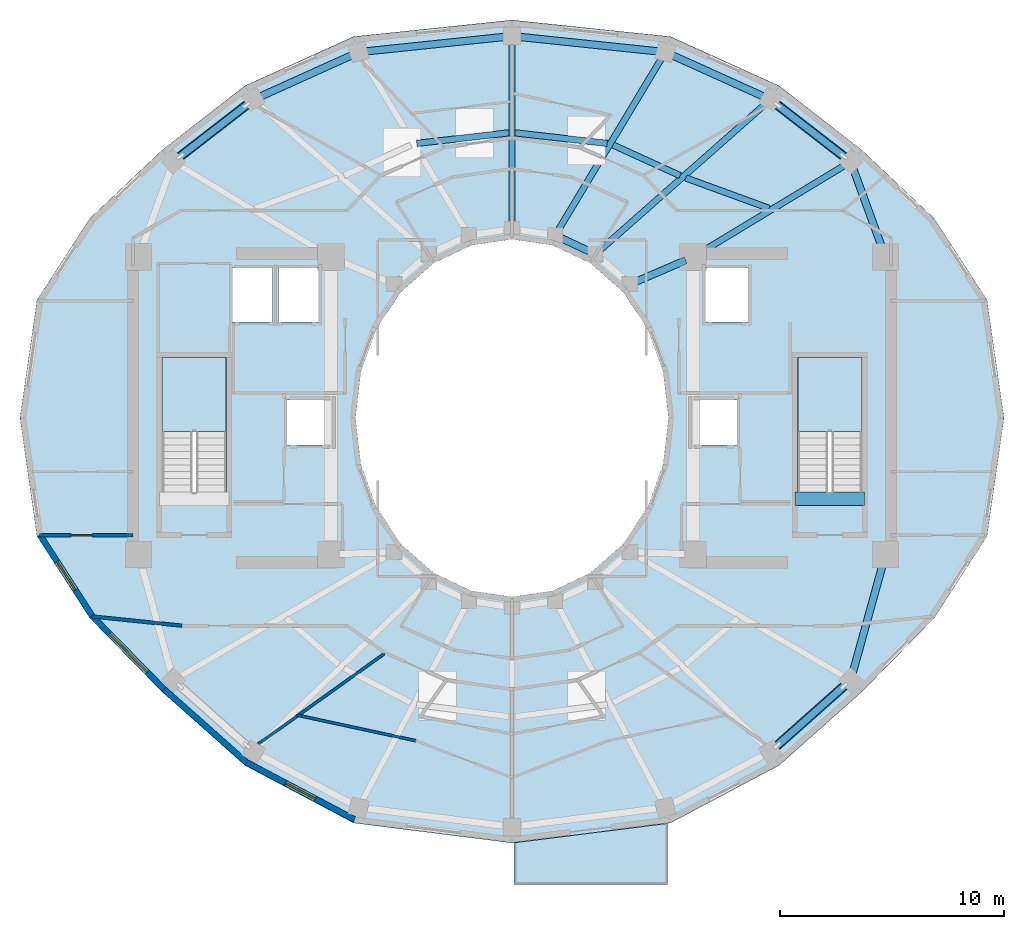
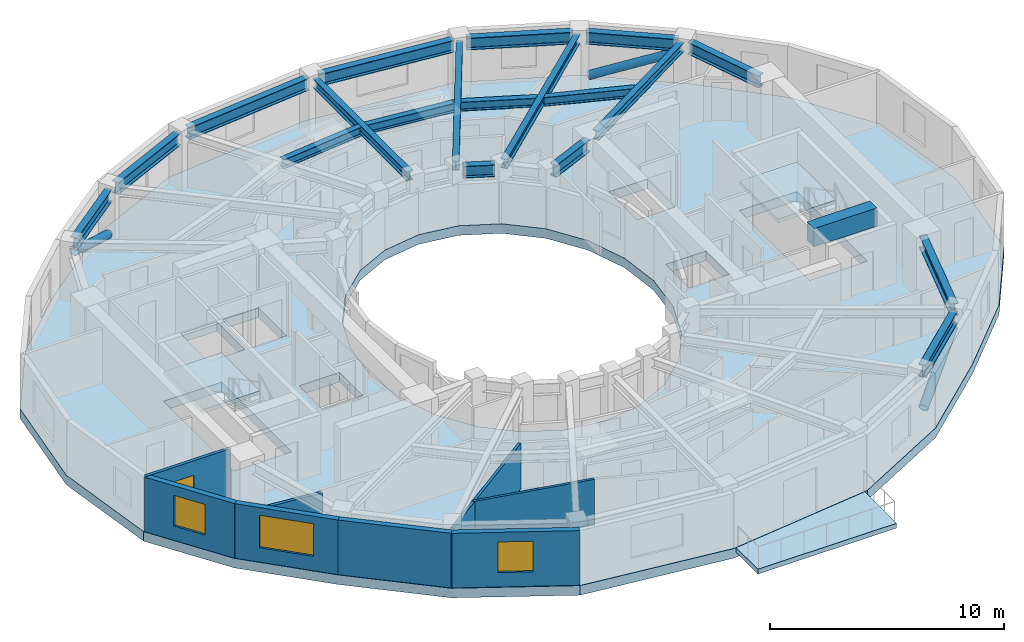
# One storey, part 2 of 9: 20 beams, 8 walls, 4 slabs, 3 members, 3 windows, 1 door, 4 openings, 2 elements without a shape of their own.
"""IFC4 building model written with IfcOpenShell, lengths in metres."""

from ifc_helpers import new_model, si_unit, direction, frame, frame_2d, origin, origin_2d, place, context, subcontext, project, spatial, polyline, rectangle, hollow_circle, i_section, outline, extrude, material, layer, layer_set, material_profile, profile_set, type_object, element, fill, aggregate, save


model = new_model("IFC4")

# Units and contexts
model_context = context("Model", 3, precision=1e-05, world=origin(), true_north=direction((0.0, 1.0)))
body_context = subcontext(model_context, "Body", "Model", "MODEL_VIEW")
ifc_project = project(units=[si_unit("LENGTHUNIT", "METRE"), si_unit("AREAUNIT", "SQUARE_METRE"), si_unit("VOLUMEUNIT", "CUBIC_METRE"), si_unit("PLANEANGLEUNIT", "RADIAN"), si_unit("MASSUNIT", "GRAM", prefix="KILO")], contexts=[model_context])

# Site, building, storey
site_placement = place(None, origin())
site = spatial("IfcSite", under=ifc_project, at=site_placement, CompositionType="ELEMENT")
building_placement = place(site_placement, origin())
building = spatial("IfcBuilding", under=site, at=building_placement, Name="Solvane Sanctuary Tower", CompositionType="ELEMENT")
storey_placement = place(building_placement, frame((0.0, 0.0, 220.199951171875)))
storey = spatial("IfcBuildingStorey", under=building, at=storey_placement, Name="L67", CompositionType="ELEMENT", Elevation=220.199951171875)

# Beams
ifc_material_1 = material(Name="Concrete C70/85", Category="concrete")
ifc_material_profile_1 = material_profile(ifc_material_1, rectangle(XDim=0.60009765625, YDim=0.949951171875, at=origin_2d()), Name="RC600X950")
ifc_profile_set_1 = profile_set([ifc_material_profile_1], Name="Concrete C70/85")
beam_type_1 = type_object("IfcBeamType", Name="Beam B-COUPLE RC600X950", PredefinedType="LINTEL", material=ifc_profile_set_1)
beam_1_placement = place(storey_placement, frame((44.64990234375, 19.399169921875, 2.625), z_axis=(1.0, 0.0, 0.0), x_axis=(0.0, 1.0, 0.0)))
element("IfcBeam", 1, at=beam_1_placement, inside=storey, type_object=beam_type_1, Name="L67 ST-2 Stair Floor Landing Trimmer", PredefinedType="LINTEL", context=body_context, shape_type="SweptSolid", body=[
    extrude(rectangle(XDim=0.60009765625, YDim=0.949951171875, at=origin_2d()), origin(), (0.0, 0.0, 1.0), 3.1201171875),
])
ifc_material_2 = material(Name="Steel ASTM A992 Grade 50", Category="steel")
ifc_material_profile_2 = material_profile(ifc_material_2, i_section(OverallWidth=0.282958984375, OverallDepth=0.471923828125, WebThickness=0.013671875, FlangeThickness=0.022216796875, FilletRadius=0.013916015625, at=origin_2d()), Name="W18X97")
ifc_profile_set_2 = profile_set([ifc_material_profile_2], Name="Steel ASTM A992 Grade 50")
beam_type_2 = type_object("IfcBeamType", Name="Beam B-RAD-Z4 W18X97", PredefinedType="JOIST", material=ifc_profile_set_2)
beam_2_placement = place(storey_placement, frame((40.407958984375, 30.38623046875, 2.64208984375), z_axis=(0.855612120123, 0.517617522789, 0.0), x_axis=(-0.517617522789, 0.855612120123, 0.0)))
element("IfcBeam", 2, at=beam_2_placement, inside=storey, type_object=beam_type_2, Name="L67 Radial Composite Floor Beam 01", PredefinedType="JOIST", context=body_context, shape_type="SweptSolid", body=[
    extrude(i_section(OverallWidth=0.282958984375, OverallDepth=0.471923828125, WebThickness=0.013671875, FlangeThickness=0.022216796875, FilletRadius=0.013916015625, at=origin_2d()), origin(), (0.0, 0.0, 1.0), 7.59375),
])
beam_3_placement = place(storey_placement, frame((35.939697265625, 30.511962890625, 2.64208984375), z_axis=(0.749352461353, 0.662171343886, 0.0), x_axis=(-0.662171343886, 0.749352461353, 0.0)))
element("IfcBeam", 3, at=beam_3_placement, inside=storey, type_object=beam_type_2, Name="L67 Radial Composite Floor Beam 02", PredefinedType="JOIST", context=body_context, shape_type="SweptSolid", body=[
    extrude(i_section(OverallWidth=0.282958984375, OverallDepth=0.471923828125, WebThickness=0.013671875, FlangeThickness=0.022216796875, FilletRadius=0.013916015625, at=origin_2d()), origin(), (0.0, 0.0, 1.0), 9.882568359375),
])
beam_4_placement = place(storey_placement, frame((34.0751953125, 31.41162109375, 2.64208984375), z_axis=(0.515337473432, 0.85698733274, 0.0), x_axis=(-0.85698733274, 0.515337473432, 0.0)))
element("IfcBeam", 4, at=beam_4_placement, inside=storey, type_object=beam_type_2, Name="L67 Radial Composite Floor Beam 03", PredefinedType="JOIST", context=body_context, shape_type="SweptSolid", body=[
    extrude(i_section(OverallWidth=0.282958984375, OverallDepth=0.471923828125, WebThickness=0.013671875, FlangeThickness=0.022216796875, FilletRadius=0.013916015625, at=origin_2d()), origin(), (0.0, 0.0, 1.0), 8.99755859375),
])
beam_5_placement = place(storey_placement, frame((32.0, 31.739990234375, 2.64208984375), z_axis=(0.0, 1.0, 0.0), x_axis=(-1.0, 0.0, 0.0)))
element("IfcBeam", 5, at=beam_5_placement, inside=storey, type_object=beam_type_2, Name="L67 Radial Composite Floor Beam 04", PredefinedType="JOIST", context=body_context, shape_type="SweptSolid", body=[
    extrude(i_section(OverallWidth=0.282958984375, OverallDepth=0.471923828125, WebThickness=0.013671875, FlangeThickness=0.022216796875, FilletRadius=0.013916015625, at=origin_2d()), origin(), (0.0, 0.0, 1.0), 8.06005859375),
])
ifc_material_profile_3 = material_profile(ifc_material_2, i_section(OverallWidth=0.324951171875, OverallDepth=0.615966796875, WebThickness=0.013916015625, FlangeThickness=0.021484375, FilletRadius=0.01611328125, at=origin_2d()), Name="W24X117")
ifc_profile_set_3 = profile_set([ifc_material_profile_3], Name="Steel ASTM A992 Grade 50")
beam_type_3 = type_object("IfcBeamType", Name="Beam B-RING-IN2 W24X117", PredefinedType="BEAM", material=ifc_profile_set_3)
beam_6_placement = place(storey_placement, frame((34.220458984375, 31.03564453125, 2.570068359375), z_axis=(0.905134542189, -0.425125229241, 0.0), x_axis=(0.425125229241, 0.905134542189, 0.0)))
element("IfcBeam", 6, at=beam_6_placement, inside=storey, type_object=beam_type_3, Name="L67 Inner Light-Well Ring Beam IC03-IC02", PredefinedType="BEAM", context=body_context, shape_type="SweptSolid", body=[
    extrude(i_section(OverallWidth=0.324951171875, OverallDepth=0.615966796875, WebThickness=0.013916015625, FlangeThickness=0.021484375, FilletRadius=0.01611328125, at=origin_2d()), origin(), (0.0, 0.0, 1.0), 1.347900390625),
])
beam_7_placement = place(storey_placement, frame((37.56884765625, 29.10888671875, 2.570068359375), z_axis=(0.918283854026, 0.395922673554, 0.0), x_axis=(-0.395922673554, 0.918283854026, 0.0)))
element("IfcBeam", 7, at=beam_7_placement, inside=storey, type_object=beam_type_3, Name="L67 Inner Light-Well Ring Beam IC01-CE4", PredefinedType="BEAM", context=body_context, shape_type="SweptSolid", body=[
    extrude(i_section(OverallWidth=0.324951171875, OverallDepth=0.615966796875, WebThickness=0.013916015625, FlangeThickness=0.021484375, FilletRadius=0.01611328125, at=origin_2d()), origin(), (0.0, 0.0, 1.0), 2.396240234375),
])
ifc_material_profile_4 = material_profile(ifc_material_2, i_section(OverallWidth=0.280029296875, OverallDepth=0.462890625, WebThickness=0.0107421875, FlangeThickness=0.017333984375, FilletRadius=0.013916015625, at=origin_2d()), Name="W18X76")
ifc_profile_set_4 = profile_set([ifc_material_profile_4], Name="Steel ASTM A992 Grade 50")
beam_type_4 = type_object("IfcBeamType", Name="Beam B-SEC-JOIST W18X76", PredefinedType="JOIST", material=ifc_profile_set_4)
for number, where, z_axis, x_axis, name in (
    (8, (27.7421875, 35.282470703125, 2.646484375), (0.993510844231, 0.113737427415, 0.0), (-0.113737427415, 0.993510844231, 0.0), "L67 Secondary Circumferential Joist 05-04"),
    (9, (32.135498046875, 35.75439453125, 2.646484375), (0.993510844231, -0.113737427415, 0.0), (0.113737427415, 0.993510844231, 0.0), "L67 Secondary Circumferential Joist 04-03"),
):
    element("IfcBeam", number, at=place(storey_placement, frame(where, z_axis=z_axis, x_axis=x_axis)), inside=storey, type_object=beam_type_4, Name=name, PredefinedType="JOIST", context=body_context, shape_type="SweptSolid", body=[
        extrude(i_section(OverallWidth=0.280029296875, OverallDepth=0.462890625, WebThickness=0.0107421875, FlangeThickness=0.017333984375, FilletRadius=0.013916015625, at=origin_2d()), origin(), (0.0, 0.0, 1.0), 4.149169921875),
    ])
beam_8_placement = place(storey_placement, frame((36.517578125, 35.210205078125, 2.646484375), z_axis=(0.909746959611, -0.415163184156, 0.0), x_axis=(0.415163184156, 0.909746959611, 0.0)))
element("IfcBeam", 10, at=beam_8_placement, inside=storey, type_object=beam_type_4, Name="L67 Secondary Circumferential Joist 03-02", PredefinedType="JOIST", context=body_context, shape_type="SweptSolid", body=[
    extrude(i_section(OverallWidth=0.280029296875, OverallDepth=0.462890625, WebThickness=0.0107421875, FlangeThickness=0.017333984375, FilletRadius=0.013916015625, at=origin_2d()), origin(), (0.0, 0.0, 1.0), 3.29833984375),
])
beam_9_placement = place(storey_placement, frame((39.770751953125, 33.7373046875, 2.646484375), z_axis=(0.939341257695, -0.342983966962, 0.0), x_axis=(0.342983966962, 0.939341257695, 0.0)))
element("IfcBeam", 11, at=beam_9_placement, inside=storey, type_object=beam_type_4, Name="L67 Secondary Circumferential Joist 02-01", PredefinedType="JOIST", context=body_context, shape_type="SweptSolid", body=[
    extrude(i_section(OverallWidth=0.280029296875, OverallDepth=0.462890625, WebThickness=0.0107421875, FlangeThickness=0.017333984375, FilletRadius=0.013916015625, at=origin_2d()), origin(), (0.0, 0.0, 1.0), 3.964111328125),
])
ifc_material_profile_5 = material_profile(ifc_material_2, i_section(OverallWidth=0.327880859375, OverallDepth=0.6279296875, WebThickness=0.0166015625, FlangeThickness=0.027587890625, FilletRadius=0.01611328125, at=origin_2d()), Name="W24X146")
ifc_profile_set_5 = profile_set([ifc_material_profile_5], Name="Steel ASTM A992 Grade 50")
beam_type_5 = type_object("IfcBeamType", Name="Beam B-SPAND-Z3 W24X146", PredefinedType="SPANDREL", material=ifc_profile_set_5)
beam_10_placement = place(storey_placement, frame((17.076416015625, 34.633056640625, 2.56396484375), z_axis=(0.79064516309, 0.612274632891, 0.0), x_axis=(-0.612274632891, 0.79064516309, 0.0)))
element("IfcBeam", 12, at=beam_10_placement, inside=storey, type_object=beam_type_5, Name="L67 Perimeter Spandrel Beam TC07-TC06", PredefinedType="SPANDREL", context=body_context, shape_type="SweptSolid", body=[
    extrude(i_section(OverallWidth=0.327880859375, OverallDepth=0.6279296875, WebThickness=0.0166015625, FlangeThickness=0.027587890625, FilletRadius=0.01611328125, at=origin_2d()), origin(), (0.0, 0.0, 1.0), 3.980224609375),
])
beam_11_placement = place(storey_placement, frame((20.7001953125, 37.356689453125, 2.56396484375), z_axis=(0.911467646952, 0.411371764418, 0.0), x_axis=(-0.411371764418, 0.911467646952, 0.0)))
element("IfcBeam", 13, at=beam_11_placement, inside=storey, type_object=beam_type_5, Name="L67 Perimeter Spandrel Beam TC06-TC05", PredefinedType="SPANDREL", context=body_context, shape_type="SweptSolid", body=[
    extrude(i_section(OverallWidth=0.327880859375, OverallDepth=0.6279296875, WebThickness=0.0166015625, FlangeThickness=0.027587890625, FilletRadius=0.01611328125, at=origin_2d()), origin(), (0.0, 0.0, 1.0), 4.59521484375),
])
for number, where, z_axis, x_axis, name in (
    (14, (25.42236328125, 39.391357421875, 2.56396484375), (0.994565065885, 0.10411690411, 0.0), (-0.10411690411, 0.994565065885, 0.0), "L67 Perimeter Spandrel Beam TC05-TC04"),
    (15, (32.278564453125, 40.05078125, 2.56396484375), (0.994565065885, -0.10411690411, 0.0), (0.10411690411, 0.994565065885, 0.0), "L67 Perimeter Spandrel Beam TC04-TC03"),
):
    element("IfcBeam", number, at=place(storey_placement, frame(where, z_axis=z_axis, x_axis=x_axis)), inside=storey, type_object=beam_type_5, Name=name, PredefinedType="SPANDREL", context=body_context, shape_type="SweptSolid", body=[
        extrude(i_section(OverallWidth=0.327880859375, OverallDepth=0.6279296875, WebThickness=0.0166015625, FlangeThickness=0.027587890625, FilletRadius=0.01611328125, at=origin_2d()), origin(), (0.0, 0.0, 1.0), 6.33349609375),
    ])
beam_12_placement = place(storey_placement, frame((39.111328125, 39.2470703125, 2.56396484375), z_axis=(0.911467646952, -0.411371764418, 0.0), x_axis=(0.411371764418, 0.911467646952, 0.0)))
element("IfcBeam", 16, at=beam_12_placement, inside=storey, type_object=beam_type_5, Name="L67 Perimeter Spandrel Beam TC03-TC02", PredefinedType="SPANDREL", context=body_context, shape_type="SweptSolid", body=[
    extrude(i_section(OverallWidth=0.327880859375, OverallDepth=0.6279296875, WebThickness=0.0166015625, FlangeThickness=0.027587890625, FilletRadius=0.01611328125, at=origin_2d()), origin(), (0.0, 0.0, 1.0), 4.59521484375),
])
beam_13_placement = place(storey_placement, frame((43.776611328125, 37.070068359375, 2.56396484375), z_axis=(0.79064516309, -0.612274632891, 0.0), x_axis=(0.612274632891, 0.79064516309, 0.0)))
element("IfcBeam", 17, at=beam_13_placement, inside=storey, type_object=beam_type_5, Name="L67 Perimeter Spandrel Beam TC02-TC01", PredefinedType="SPANDREL", context=body_context, shape_type="SweptSolid", body=[
    extrude(i_section(OverallWidth=0.327880859375, OverallDepth=0.6279296875, WebThickness=0.0166015625, FlangeThickness=0.027587890625, FilletRadius=0.01611328125, at=origin_2d()), origin(), (0.0, 0.0, 1.0), 3.980224609375),
])
beam_14_placement = place(storey_placement, frame((47.240966796875, 34.19873046875, 2.56396484375), z_axis=(0.34275337431, -0.939425422478, 0.0), x_axis=(0.939425422478, 0.34275337431, 0.0)))
element("IfcBeam", 18, at=beam_14_placement, inside=storey, type_object=beam_type_5, Name="L67 Perimeter Spandrel Beam TC01-CE3", PredefinedType="SPANDREL", context=body_context, shape_type="SweptSolid", body=[
    extrude(i_section(OverallWidth=0.327880859375, OverallDepth=0.6279296875, WebThickness=0.0166015625, FlangeThickness=0.027587890625, FilletRadius=0.01611328125, at=origin_2d()), origin(), (0.0, 0.0, 1.0), 3.976806640625),
])
beam_15_placement = place(storey_placement, frame((43.764404296875, 8.272216796875, 2.56396484375), z_axis=(0.747199825189, 0.664599444205, 0.0), x_axis=(-0.664599444205, 0.747199825189, 0.0)))
element("IfcBeam", 19, at=beam_15_placement, inside=storey, type_object=beam_type_5, Name="L67 Perimeter Spandrel Beam TC13-TC14", PredefinedType="SPANDREL", context=body_context, shape_type="SweptSolid", body=[
    extrude(i_section(OverallWidth=0.327880859375, OverallDepth=0.6279296875, WebThickness=0.0166015625, FlangeThickness=0.027587890625, FilletRadius=0.01611328125, at=origin_2d()), origin(), (0.0, 0.0, 1.0), 4.244384765625),
])
beam_16_placement = place(storey_placement, frame((47.219482421875, 11.549072265625, 2.56396484375), z_axis=(0.266650123869, 0.963793396658, 0.0), x_axis=(-0.963793396658, 0.266650123869, 0.0)))
element("IfcBeam", 20, at=beam_16_placement, inside=storey, type_object=beam_type_5, Name="L67 Perimeter Spandrel Beam TC14-CE2", PredefinedType="SPANDREL", context=body_context, shape_type="SweptSolid", body=[
    extrude(i_section(OverallWidth=0.327880859375, OverallDepth=0.6279296875, WebThickness=0.0166015625, FlangeThickness=0.027587890625, FilletRadius=0.01611328125, at=origin_2d()), origin(), (0.0, 0.0, 1.0), 5.27197265625),
])

# Members
ifc_material_profile_6 = material_profile(ifc_material_2, hollow_circle(Radius=0.202880859375, WallThickness=0.012451171875, at=origin_2d()), Name="CHS406X12.5")
ifc_profile_set_6 = profile_set([ifc_material_profile_6], Name="Steel ASTM A992 Grade 50")
member_type = type_object("IfcMemberType", Name="Member M-TUBE-Z3 CHS406X12.5", PredefinedType="BRACE", material=ifc_profile_set_6)
for number, where, z_axis, x_axis, name in (
    (21, (43.881591796875, 36.988525390625, 0.550048828125), (0.731090089768, -0.566107162853, 0.380827993731), (0.612242116954, 0.790670342322, 0.0), "L67 Perimeter Braced-Tube Diagonal NE"),
    (22, (20.118408203125, 36.988525390625, 0.550048828125), (-0.731090089768, -0.566107162853, 0.380827993731), (0.612242116954, -0.790670342322, 0.0), "L67 Perimeter Braced-Tube Diagonal NW"),
):
    element("IfcMember", number, at=place(storey_placement, frame(where, z_axis=z_axis, x_axis=x_axis)), inside=storey, type_object=member_type, Name=name, PredefinedType="BRACE", context=body_context, shape_type="SweptSolid", body=[
        extrude(hollow_circle(Radius=0.202880859375, WallThickness=0.012451171875, at=origin_2d()), origin(), (0.0, 0.0, 1.0), 4.017578125),
    ])
member_placement = place(storey_placement, frame((43.8671875, 8.36376953125, 0.542724609375), z_axis=(0.696313085915, 0.619358188581, 0.362689289368), x_axis=(-0.664611503375, 0.747189098945, 0.0)))
element("IfcMember", 23, at=member_placement, inside=storey, type_object=member_type, Name="L67 Perimeter Braced-Tube Diagonal SE", PredefinedType="BRACE", context=body_context, shape_type="SweptSolid", body=[
    extrude(hollow_circle(Radius=0.202880859375, WallThickness=0.012451171875, at=origin_2d()), origin(), (0.0, 0.0, 1.0), 4.26708984375),
])

# Stair, slab
ifc_material_3 = material(Name="Concrete C45/55", Category="concrete")
stair_type = type_object("IfcStairType", Name="Stair ST-TOW", PredefinedType="HALF_TURN_STAIR", material=ifc_material_3)
stair_1_placement = place(storey_placement, origin())
stair_1 = element("IfcStair", 24, at=stair_1_placement, inside=storey, type_object=stair_type, Name="L67 Exit Stair ST-1 West Core", PredefinedType="HALF_TURN_STAIR")
ifc_layer_1 = layer(ifc_material_3, 0.199951171875, Name="Concrete C45/55")
ifc_layer_set_1 = layer_set([ifc_layer_1], Name="Concrete C45/55")
slab_type_1 = type_object("IfcSlabType", Name="Slab SL-LAND-180", PredefinedType="LANDING", material=ifc_layer_set_1)
slab_1_placement = place(storey_placement, frame((0.0, 0.0, 1.35009765625)))
slab_1 = element("IfcSlab", 25, at=slab_1_placement, type_object=slab_type_1, Name="ST-1 landing 1", PredefinedType="LANDING", context=body_context, shape_type="SweptSolid", body=[
    extrude(outline(polyline([(19.219970703125, 22.39990234375), (19.219970703125, 25.699951171875), (16.360107421875, 25.699951171875), (16.360107421875, 22.39990234375), (19.219970703125, 22.39990234375)])), origin(), (0.0, 0.0, 1.0), 0.199951171875),
])
aggregate(stair_1, [slab_1])

stair_2_placement = place(storey_placement, origin())
stair_2 = element("IfcStair", 26, at=stair_2_placement, inside=storey, type_object=stair_type, Name="L67 Exit Stair ST-2 East Core", PredefinedType="HALF_TURN_STAIR")
slab_2_placement = place(storey_placement, frame((0.0, 0.0, 1.35009765625)))
slab_2 = element("IfcSlab", 27, at=slab_2_placement, type_object=slab_type_1, Name="ST-2 landing 1", PredefinedType="LANDING", context=body_context, shape_type="SweptSolid", body=[
    extrude(outline(polyline([(47.639892578125, 22.39990234375), (47.639892578125, 25.699951171875), (44.780029296875, 25.699951171875), (44.780029296875, 22.39990234375), (47.639892578125, 22.39990234375)])), origin(), (0.0, 0.0, 1.0), 0.199951171875),
])
aggregate(stair_2, [slab_2])

# Slabs
ifc_material_4 = material(Name="Precast concrete C40/50", Category="concrete")
ifc_layer_2 = layer(ifc_material_4, 0.25, Name="Precast concrete C40/50")
ifc_layer_set_2 = layer_set([ifc_layer_2], Name="Precast concrete C40/50")
slab_type_2 = type_object("IfcSlabType", Name="Slab SL-TERR-250", PredefinedType="FLOOR", material=ifc_layer_set_2)
slab_3_placement = place(storey_placement, frame((0.0, 0.0, -0.25)))
element("IfcSlab", 28, at=slab_3_placement, inside=storey, type_object=slab_type_2, Name="L67 South Crescent Sanctuary Terrace", PredefinedType="FLOOR", context=body_context, shape_type="SweptSolid", body=[
    extrude(outline(polyline([(38.949951171875, 4.873046875), (32.10009765625, 4.009521484375), (32.10009765625, 2.14990234375), (38.949951171875, 2.14990234375), (38.949951171875, 4.873046875)])), origin(), (0.0, 0.0, 1.0), 0.25),
])
ifc_material_5 = material(Name="Concrete C60/75", Category="concrete")
ifc_layer_3 = layer(ifc_material_5, 0.5, Name="Concrete C60/75")
ifc_layer_set_3 = layer_set([ifc_layer_3], Name="Concrete C60/75")
slab_type_3 = type_object("IfcSlabType", Name="Slab SL-XFER-500", PredefinedType="FLOOR", material=ifc_layer_set_3)
slab_4_placement = place(storey_placement, frame((0.0, 0.0, -0.5)))
element("IfcSlab", 29, at=slab_4_placement, inside=storey, type_object=slab_type_3, Name="L67 Primary Structural Slab", PredefinedType="FLOOR", context=body_context, shape_type="SweptSolid", body=[
    extrude(outline(polyline([(54.0, 23.0), (53.239990234375, 28.283935546875), (50.881103515625, 31.925537109375), (47.6572265625, 34.97412109375), (43.946044921875, 37.859375), (39.088134765625, 40.057373046875), (32.0, 40.800048828125), (24.911865234375, 40.057373046875), (20.053955078125, 37.859375), (16.3427734375, 34.97412109375), (13.118896484375, 31.925537109375), (10.760009765625, 28.283935546875), (10.0, 23.0), (10.760009765625, 17.716064453125), (13.118896484375, 14.056884765625), (16.3427734375, 10.7666015625), (20.053955078125, 7.46826171875), (24.911865234375, 4.8935546875), (32.0, 4.0), (39.088134765625, 4.8935546875), (43.946044921875, 7.46826171875), (47.6572265625, 10.7666015625), (50.881103515625, 14.056884765625), (53.239990234375, 17.716064453125), (54.0, 23.0)]), holes=[polyline([(38.761474609375, 20.929443359375), (38.062255859375, 19.0), (36.94970703125, 17.343017578125), (35.5, 16.07177734375), (33.811767578125, 15.272705078125), (32.0, 15.0), (30.188232421875, 15.272705078125), (28.5, 16.07177734375), (27.05029296875, 17.343017578125), (25.937744140625, 19.0), (25.238525390625, 20.929443359375), (25.0, 23.0), (25.238525390625, 25.070556640625), (25.937744140625, 27.0), (27.05029296875, 28.656982421875), (28.5, 29.92822265625), (30.188232421875, 30.727294921875), (32.0, 31.0), (33.811767578125, 30.727294921875), (35.5, 29.92822265625), (36.94970703125, 28.656982421875), (38.062255859375, 27.0), (38.761474609375, 25.070556640625), (39.0, 23.0), (38.761474609375, 20.929443359375)]), polyline([(16.360107421875, 19.699951171875), (16.360107421875, 25.699951171875), (19.219970703125, 25.699951171875), (19.219970703125, 19.699951171875), (16.360107421875, 19.699951171875)]), polyline([(44.780029296875, 19.699951171875), (44.780029296875, 25.699951171875), (47.639892578125, 25.699951171875), (47.639892578125, 19.699951171875), (44.780029296875, 19.699951171875)]), polyline([(21.949951171875, 23.800048828125), (23.949951171875, 23.800048828125), (23.949951171875, 21.800048828125), (21.949951171875, 21.800048828125), (21.949951171875, 23.800048828125)]), polyline([(40.050048828125, 23.800048828125), (42.050048828125, 23.800048828125), (42.050048828125, 21.800048828125), (40.050048828125, 21.800048828125), (40.050048828125, 23.800048828125)]), polyline([(19.5, 29.699951171875), (21.300048828125, 29.699951171875), (21.300048828125, 27.300048828125), (19.5, 27.300048828125), (19.5, 29.699951171875)]), polyline([(21.550048828125, 29.699951171875), (23.35009765625, 29.699951171875), (23.35009765625, 27.300048828125), (21.550048828125, 27.300048828125), (21.550048828125, 29.699951171875)]), polyline([(40.64990234375, 29.699951171875), (42.550048828125, 29.699951171875), (42.550048828125, 27.300048828125), (40.64990234375, 27.300048828125), (40.64990234375, 29.699951171875)])]), origin(), (0.0, 0.0, 1.0), 0.5),
])

# Wall, opening, door
ifc_material_6 = material(Name="Acoustic Gypsum Partition Board")
ifc_layer_4 = layer(ifc_material_6, 0.14990234375, Name="Acoustic Gypsum Partition Board")
ifc_layer_set_4 = layer_set([ifc_layer_4], Name="Acoustic Gypsum Partition Board")
wall_type_1 = type_object("IfcWallType", Name="Wall W-CORR-150", PredefinedType="PARTITIONING", material=ifc_layer_set_4)
wall_1_placement = place(storey_placement, frame((10.87548828125, 17.754638671875, 0.0), z_axis=(0.0, 0.0, 1.0), x_axis=(1.0, 0.0, 0.0)))
wall_1 = element("IfcWall", 30, at=wall_1_placement, inside=storey, type_object=wall_type_1, Name="L67 West Shoulder South Wall", PredefinedType="PARTITIONING", context=body_context, shape_type="SweptSolid", body=[
    extrude(rectangle(XDim=4.174560546875, YDim=0.14990234375, at=frame_2d((2.08740234375, 0.0))), origin(), (0.0, 0.0, 1.0), 2.85498046875),
])
opening_1_placement = place(wall_1_placement, frame((1.407470703125, 0.0, 0.0)))
opening_1 = element("IfcOpeningElement", 31, at=opening_1_placement, cuts=wall_1, Name="Opening D-L67-17", PredefinedType="OPENING", context=body_context, shape_type="SweptSolid", body=[
    extrude(rectangle(XDim=0.949951171875, YDim=2.10009765625, at=frame_2d((0.47509765625, 1.050048828125))), frame((0.0, 0.0849609375, 0.0), z_axis=(0.0, -1.0, 0.0), x_axis=(1.0, 0.0, 0.0)), (0.0, 0.0, 1.0), 0.169921875),
])
ifc_material_7 = material(Name="Engineered Tropical Hardwood", Category="wood")
door_type = type_object("IfcDoorType", Name="Door D-ROOM-950", OperationType="NOTDEFINED", PredefinedType="DOOR", material=ifc_material_7)
door_placement = place(opening_1_placement, origin())
door = element("IfcDoor", 32, at=door_placement, inside=storey, type_object=door_type, Name="L67 West Shoulder South Door", OperationType="SINGLE_SWING_RIGHT", OverallHeight=2.10009765625, OverallWidth=0.949951171875, PredefinedType="DOOR", context=body_context, shape_type="SweptSolid", body=[
    extrude(rectangle(XDim=0.949951171875, YDim=2.10009765625, at=frame_2d((0.47509765625, 1.050048828125))), frame((0.0, 0.02490234375, 0.0), z_axis=(0.0, -1.0, 0.0), x_axis=(1.0, 0.0, 0.0)), (0.0, 0.0, 1.0), 0.050048828125),
])
fill(opening_1, door)

# Wall
wall_2_placement = place(storey_placement, frame((17.249755859375, 13.71484375, 0.0), z_axis=(0.0, 0.0, 1.0), x_axis=(-0.994734711466, 0.102483431859, 0.0)))
element("IfcWall", 33, at=wall_2_placement, inside=storey, type_object=wall_type_1, Name="L67 SW Corner Wing Wall", PredefinedType="PARTITIONING", context=body_context, shape_type="SweptSolid", body=[
    extrude(rectangle(XDim=4.04736328125, YDim=0.14990234375, at=frame_2d((2.023681640625, 0.0))), origin(), (0.0, 0.0, 1.0), 2.219970703125),
])

# Wall, opening, window
ifc_layer_5 = layer(ifc_material_4, 0.260009765625, Name="Precast concrete C40/50")
ifc_layer_set_5 = layer_set([ifc_layer_5], Name="Precast concrete C40/50")
wall_type_2 = type_object("IfcWallType", Name="Wall W-EXT-250", PredefinedType="STANDARD", material=ifc_layer_set_5)
wall_3_placement = place(storey_placement, frame((10.895263671875, 17.76123046875, 0.0), z_axis=(0.0, 0.0, 1.0), x_axis=(0.542641766008, -0.839964233634, 0.0)))
wall_3 = element("IfcWall", 34, at=wall_3_placement, inside=storey, type_object=wall_type_2, Name="L67 Ceramic-Printed Facade Wall 13", PredefinedType="STANDARD", context=body_context, shape_type="SweptSolid", body=[
    extrude(rectangle(XDim=4.319091796875, YDim=0.260009765625, at=frame_2d((2.15966796875, 0.0))), origin(), (0.0, 0.0, 1.0), 2.85009765625),
])
opening_2_placement = place(wall_3_placement, frame((1.40966796875, 0.0, 0.75)))
opening_2 = element("IfcOpeningElement", 35, at=opening_2_placement, cuts=wall_3, Name="Opening WN-OPER-1500", PredefinedType="OPENING", context=body_context, shape_type="SweptSolid", body=[
    extrude(rectangle(XDim=1.5, YDim=1.60009765625, at=frame_2d((0.75, 0.800048828125))), frame((0.0, 0.139892578125, 0.0), z_axis=(0.0, -1.0, 0.0), x_axis=(1.0, 0.0, 0.0)), (0.0, 0.0, 1.0), 0.280029296875),
])
ifc_material_8 = material(Name="Dark Ceramic-Fritted Low-E Glass", Category="glass")
window_type_1 = type_object("IfcWindowType", Name="Window WN-OPER-1500", PartitioningType="SINGLE_PANEL", PredefinedType="WINDOW", material=ifc_material_8)
window_1_placement = place(opening_2_placement, origin())
window_1 = element("IfcWindow", 36, at=window_1_placement, inside=storey, type_object=window_type_1, Name="L67 Operable Facade Window 13", OverallHeight=1.60009765625, OverallWidth=1.5, PartitioningType="SINGLE_PANEL", PredefinedType="WINDOW", context=body_context, shape_type="SweptSolid", body=[
    extrude(rectangle(XDim=1.5, YDim=1.60009765625, at=frame_2d((0.75, 0.800048828125))), frame((0.0, 0.030029296875, 0.0), z_axis=(0.0, -1.0, 0.0), x_axis=(1.0, 0.0, 0.0)), (0.0, 0.0, 1.0), 0.06005859375),
])
fill(opening_2, window_1)

wall_4_placement = place(storey_placement, frame((13.239013671875, 14.13330078125, 0.0), z_axis=(0.0, 0.0, 1.0), x_axis=(0.700642973333, -0.713512034881, 0.0)))
wall_4 = element("IfcWall", 37, at=wall_4_placement, inside=storey, type_object=wall_type_2, Name="L67 Ceramic-Printed Facade Wall 14", PredefinedType="STANDARD", context=body_context, shape_type="SweptSolid", body=[
    extrude(rectangle(XDim=4.572021484375, YDim=0.260009765625, at=frame_2d((2.2861328125, 0.0))), origin(), (0.0, 0.0, 1.0), 2.85009765625),
])
opening_3_placement = place(wall_4_placement, frame((1.0859375, 0.0, 0.75)))
opening_3 = element("IfcOpeningElement", 38, at=opening_3_placement, cuts=wall_4, Name="Opening WN-RIB-2400", PredefinedType="OPENING", context=body_context, shape_type="SweptSolid", body=[
    extrude(rectangle(XDim=2.39990234375, YDim=1.699951171875, at=frame_2d((1.199951171875, 0.85009765625))), frame((0.0, 0.139892578125, 0.0), z_axis=(0.0, -1.0, 0.0), x_axis=(1.0, 0.0, 0.0)), (0.0, 0.0, 1.0), 0.280029296875),
])
window_type_2 = type_object("IfcWindowType", Name="Window WN-RIB-2400", PartitioningType="SINGLE_PANEL", PredefinedType="WINDOW", material=ifc_material_8)
window_2_placement = place(opening_3_placement, origin())
window_2 = element("IfcWindow", 39, at=window_2_placement, inside=storey, type_object=window_type_2, Name="L67 Operable Facade Window 14", OverallHeight=1.699951171875, OverallWidth=2.39990234375, PartitioningType="SINGLE_PANEL", PredefinedType="WINDOW", context=body_context, shape_type="SweptSolid", body=[
    extrude(rectangle(XDim=2.39990234375, YDim=1.699951171875, at=frame_2d((1.199951171875, 0.85009765625))), frame((0.0, 0.030029296875, 0.0), z_axis=(0.0, -1.0, 0.0), x_axis=(1.0, 0.0, 0.0)), (0.0, 0.0, 1.0), 0.06005859375),
])
fill(opening_3, window_2)

# Wall
wall_5_placement = place(storey_placement, frame((16.4423828125, 10.87109375, 0.0), z_axis=(0.0, 0.0, 1.0), x_axis=(0.748165854006, -0.663511759428, 0.0)))
element("IfcWall", 40, at=wall_5_placement, inside=storey, type_object=wall_type_2, Name="L67 Ceramic-Printed Facade Wall 15", PredefinedType="STANDARD", context=body_context, shape_type="SweptSolid", body=[
    extrude(rectangle(XDim=4.9287109375, YDim=0.260009765625, at=frame_2d((2.46435546875, 0.0))), origin(), (0.0, 0.0, 1.0), 2.85009765625),
])

# Wall, opening, window
wall_6_placement = place(storey_placement, frame((20.1298828125, 7.600830078125, 0.0), z_axis=(0.0, 0.0, 1.0), x_axis=(0.884000981341, -0.46748504253, 0.0)))
wall_6 = element("IfcWall", 41, at=wall_6_placement, inside=storey, type_object=wall_type_2, Name="L67 Ceramic-Printed Facade Wall 16", PredefinedType="STANDARD", context=body_context, shape_type="SweptSolid", body=[
    extrude(rectangle(XDim=5.46044921875, YDim=0.260009765625, at=frame_2d((2.730224609375, 0.0))), origin(), (0.0, 0.0, 1.0), 2.85009765625),
])
opening_4_placement = place(wall_6_placement, frame((1.980224609375, 0.0, 0.75)))
opening_4 = element("IfcOpeningElement", 42, at=opening_4_placement, cuts=wall_6, Name="Opening WN-OPER-1500", PredefinedType="OPENING", context=body_context, shape_type="SweptSolid", body=[
    extrude(rectangle(XDim=1.5, YDim=1.60009765625, at=frame_2d((0.75, 0.800048828125))), frame((0.0, 0.139892578125, 0.0), z_axis=(0.0, -1.0, 0.0), x_axis=(1.0, 0.0, 0.0)), (0.0, 0.0, 1.0), 0.280029296875),
])
window_3_placement = place(opening_4_placement, origin())
window_3 = element("IfcWindow", 43, at=window_3_placement, inside=storey, type_object=window_type_1, Name="L67 Operable Facade Window 16", OverallHeight=1.60009765625, OverallWidth=1.5, PartitioningType="SINGLE_PANEL", PredefinedType="WINDOW", context=body_context, shape_type="SweptSolid", body=[
    extrude(rectangle(XDim=1.5, YDim=1.60009765625, at=frame_2d((0.75, 0.800048828125))), frame((0.0, 0.030029296875, 0.0), z_axis=(0.0, -1.0, 0.0), x_axis=(1.0, 0.0, 0.0)), (0.0, 0.0, 1.0), 0.06005859375),
])
fill(opening_4, window_3)

# Walls
ifc_layer_6 = layer(ifc_material_6, 0.1201171875, Name="Acoustic Gypsum Partition Board")
ifc_layer_set_6 = layer_set([ifc_layer_6], Name="Acoustic Gypsum Partition Board")
wall_type_3 = type_object("IfcWallType", Name="Wall W-MOV-100", PredefinedType="MOVABLE", material=ifc_layer_set_6)
wall_7_placement = place(storey_placement, frame((22.389892578125, 9.716796875, 0.0), z_axis=(0.0, 0.0, 1.0), x_axis=(0.977534972695, -0.210773283785, 0.0)))
element("IfcWall", 44, at=wall_7_placement, inside=storey, type_object=wall_type_3, Name="L67 Suite Sitting Lounge Partition S1", PredefinedType="MOVABLE", context=body_context, shape_type="SweptSolid", body=[
    extrude(rectangle(XDim=5.453369140625, YDim=0.1201171875, at=frame_2d((2.7265625, 0.0))), origin(), (0.0, 0.0, 1.0), 2.3759765625),
])
ifc_layer_7 = layer(ifc_material_6, 0.125, Name="Acoustic Gypsum Partition Board")
ifc_layer_set_7 = layer_set([ifc_layer_7], Name="Acoustic Gypsum Partition Board")
wall_type_4 = type_object("IfcWallType", Name="Wall W-PART-125", PredefinedType="PARTITIONING", material=ifc_layer_set_7)
wall_8_placement = place(storey_placement, frame((26.290283203125, 12.463134765625, 0.0), z_axis=(0.0, 0.0, 1.0), x_axis=(-0.813163816543, -0.582034885093, 0.0)))
element("IfcWall", 45, at=wall_8_placement, inside=storey, type_object=wall_type_4, Name="L67 Radial Compartment Wall 240", PredefinedType="PARTITIONING", context=body_context, shape_type="SweptSolid", body=[
    extrude(rectangle(XDim=6.95458984375, YDim=0.125, at=frame_2d((3.477294921875, 0.0))), origin(), (0.0, 0.0, 1.0), 2.3759765625),
])

save(model, "model.ifc")
